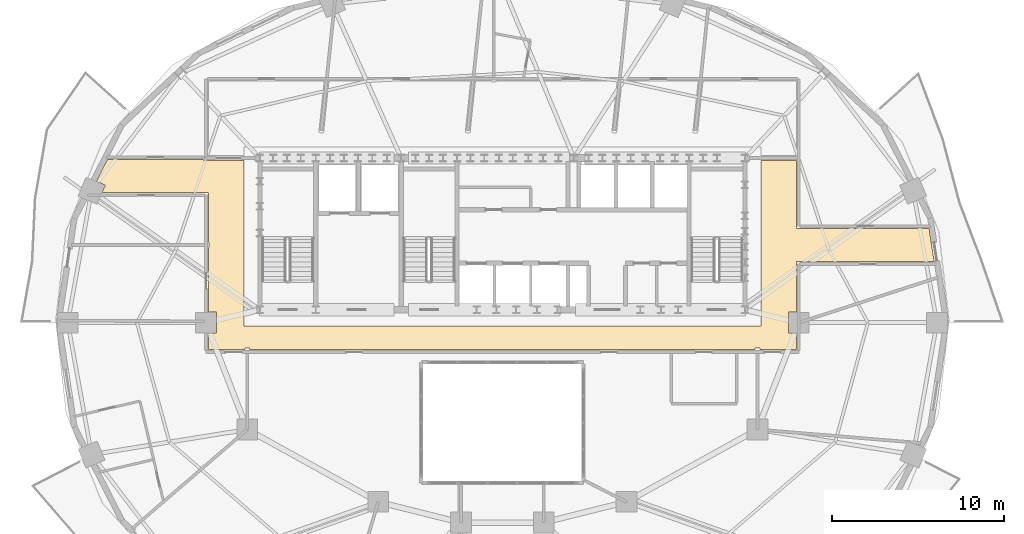
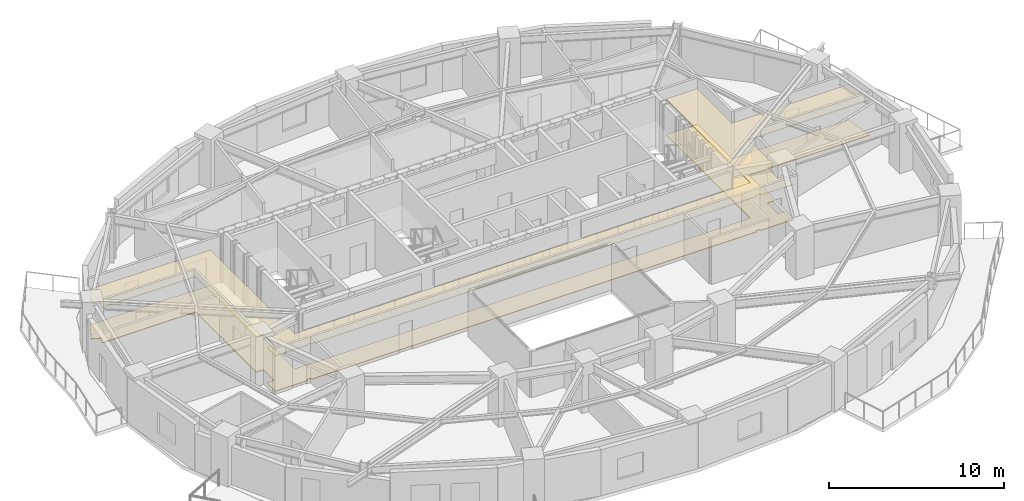
# One storey, part 11 of 13: 2 coverings.
"""IFC4 building model written with IfcOpenShell, lengths in metres."""

from ifc_helpers import new_model, si_unit, direction, frame, origin, place, context, subcontext, project, spatial, polyline, outline, extrude, material, layer, layer_set, type_object, element, save


model = new_model("IFC4")

# Units and contexts
model_context = context("Model", 3, precision=1e-05, world=origin(), true_north=direction((0.0, 1.0)))
body_context = subcontext(model_context, "Body", "Model", "MODEL_VIEW")
ifc_project = project(units=[si_unit("LENGTHUNIT", "METRE"), si_unit("AREAUNIT", "SQUARE_METRE"), si_unit("VOLUMEUNIT", "CUBIC_METRE"), si_unit("PLANEANGLEUNIT", "RADIAN"), si_unit("MASSUNIT", "GRAM", prefix="KILO")], contexts=[model_context])

# Site, building, storey
site_placement = place(None, origin())
site = spatial("IfcSite", under=ifc_project, at=site_placement, CompositionType="ELEMENT")
building_placement = place(site_placement, origin())
building = spatial("IfcBuilding", under=site, at=building_placement, Name="Haldorwick Loom Tower", CompositionType="ELEMENT")
storey_placement = place(building_placement, frame((0.0, 0.0, 175.14990234375)))
storey = spatial("IfcBuildingStorey", under=building, at=storey_placement, Name="L47", CompositionType="ELEMENT", Elevation=175.14990234375)

# Coverings
ifc_material_1 = material(Name="Mineral Fibre Acoustic Ceiling Tile")
ifc_layer_1 = layer(ifc_material_1, 0.054931640625, Name="Mineral Fibre Acoustic Ceiling Tile")
ifc_layer_set_1 = layer_set([ifc_layer_1], Name="Mineral Fibre Acoustic Ceiling Tile")
covering_type_1 = type_object("IfcCoveringType", Name="ARC-COV-CEIL2", PredefinedType="CEILING", material=ifc_layer_set_1)
covering_1_placement = place(storey_placement, frame((0.0, 0.0, 2.4580078125)))
element("IfcCovering", 1, at=covering_1_placement, inside=storey, type_object=covering_type_1, Name="L47 Acoustic Suspended Ceiling 1", PredefinedType="CEILING", context=body_context, shape_type="SweptSolid", body=[
    extrude(outline(polyline([(12.439208984375, 34.19775390625), (12.958251953125, 33.982666015625), (12.77490234375, 33.5400390625), (18.919921875, 33.5400390625), (18.922119140625, 33.539794921875), (18.923828125, 33.53955078125), (18.92578125, 33.5390625), (18.927734375, 33.53857421875), (18.929443359375, 33.53759765625), (18.93115234375, 33.53662109375), (18.9326171875, 33.535400390625), (18.93408203125, 33.5341796875), (18.935546875, 33.53271484375), (18.9365234375, 33.531005859375), (18.9375, 33.529296875), (18.9384765625, 33.527587890625), (18.939208984375, 33.52587890625), (18.939697265625, 33.52392578125), (18.93994140625, 33.52197265625), (18.93994140625, 33.52001953125), (18.93994140625, 30.639892578125), (18.969970703125, 30.639892578125), (18.971923828125, 30.639892578125), (18.973876953125, 30.6396484375), (18.975830078125, 30.63916015625), (18.977783203125, 30.638427734375), (18.9794921875, 30.6376953125), (18.981201171875, 30.63671875), (18.982666015625, 30.635498046875), (18.984130859375, 30.634033203125), (18.985595703125, 30.6328125), (18.986572265625, 30.631103515625), (18.987548828125, 30.62939453125), (18.988525390625, 30.627685546875), (18.989013671875, 30.625732421875), (18.989501953125, 30.623779296875), (18.989990234375, 30.6220703125), (18.989990234375, 30.6201171875), (18.989990234375, 30.3798828125), (18.989990234375, 30.3779296875), (18.989501953125, 30.376220703125), (18.989013671875, 30.374267578125), (18.988525390625, 30.372314453125), (18.987548828125, 30.37060546875), (18.986572265625, 30.368896484375), (18.985595703125, 30.3671875), (18.984130859375, 30.365966796875), (18.982666015625, 30.364501953125), (18.981201171875, 30.36328125), (18.9794921875, 30.3623046875), (18.977783203125, 30.361572265625), (18.975830078125, 30.36083984375), (18.973876953125, 30.3603515625), (18.971923828125, 30.360107421875), (18.969970703125, 30.360107421875), (18.93994140625, 30.360107421875), (18.93994140625, 26.60791015625), (19.407958984375, 26.60791015625), (19.407958984375, 25.39208984375), (18.93994140625, 25.39208984375), (18.93994140625, 24.43994140625), (21.06005859375, 24.43994140625), (21.06005859375, 24.52001953125), (21.06005859375, 24.52197265625), (21.060302734375, 24.52392578125), (21.060791015625, 24.52587890625), (21.0615234375, 24.527587890625), (21.0625, 24.529296875), (21.0634765625, 24.531005859375), (21.064453125, 24.53271484375), (21.06591796875, 24.5341796875), (21.0673828125, 24.535400390625), (21.06884765625, 24.53662109375), (21.070556640625, 24.53759765625), (21.072265625, 24.53857421875), (21.07421875, 24.5390625), (21.076171875, 24.53955078125), (21.077880859375, 24.539794921875), (21.080078125, 24.5400390625), (21.320068359375, 24.5400390625), (21.322021484375, 24.539794921875), (21.323974609375, 24.53955078125), (21.32568359375, 24.5390625), (21.32763671875, 24.53857421875), (21.329345703125, 24.53759765625), (21.3310546875, 24.53662109375), (21.332763671875, 24.535400390625), (21.333984375, 24.5341796875), (21.33544921875, 24.53271484375), (21.336669921875, 24.531005859375), (21.337646484375, 24.529296875), (21.33837890625, 24.527587890625), (21.339111328125, 24.52587890625), (21.339599609375, 24.52392578125), (21.33984375, 24.52197265625), (21.340087890625, 24.52001953125), (21.340087890625, 24.43994140625), (50.659912109375, 24.43994140625), (50.659912109375, 24.52001953125), (50.66015625, 24.52197265625), (50.660400390625, 24.52392578125), (50.660888671875, 24.52587890625), (50.66162109375, 24.527587890625), (50.662353515625, 24.529296875), (50.663330078125, 24.531005859375), (50.66455078125, 24.53271484375), (50.666015625, 24.5341796875), (50.667236328125, 24.535400390625), (50.6689453125, 24.53662109375), (50.670654296875, 24.53759765625), (50.67236328125, 24.53857421875), (50.67431640625, 24.5390625), (50.676025390625, 24.53955078125), (50.677978515625, 24.539794921875), (50.679931640625, 24.5400390625), (50.919921875, 24.5400390625), (50.922119140625, 24.539794921875), (50.923828125, 24.53955078125), (50.92578125, 24.5390625), (50.927734375, 24.53857421875), (50.929443359375, 24.53759765625), (50.93115234375, 24.53662109375), (50.9326171875, 24.535400390625), (50.93408203125, 24.5341796875), (50.935546875, 24.53271484375), (50.9365234375, 24.531005859375), (50.9375, 24.529296875), (50.9384765625, 24.527587890625), (50.939208984375, 24.52587890625), (50.939697265625, 24.52392578125), (50.93994140625, 24.52197265625), (50.93994140625, 24.52001953125), (50.93994140625, 24.43994140625), (53.06005859375, 24.43994140625), (53.06005859375, 25.39208984375), (52.592041015625, 25.39208984375), (52.592041015625, 26.60791015625), (53.06005859375, 26.60791015625), (53.06005859375, 29.52001953125), (53.06005859375, 29.52197265625), (53.060302734375, 29.52392578125), (53.060791015625, 29.52587890625), (53.0615234375, 29.527587890625), (53.0625, 29.529296875), (53.0634765625, 29.531005859375), (53.064453125, 29.53271484375), (53.06591796875, 29.5341796875), (53.0673828125, 29.535400390625), (53.06884765625, 29.53662109375), (53.070556640625, 29.53759765625), (53.072265625, 29.53857421875), (53.07421875, 29.5390625), (53.076171875, 29.53955078125), (53.077880859375, 29.539794921875), (53.080078125, 29.5400390625), (61.051025390625, 29.5400390625), (60.758544921875, 31.4599609375), (53.080078125, 31.4599609375), (53.077880859375, 31.460205078125), (53.076171875, 31.46044921875), (53.07421875, 31.4609375), (53.072265625, 31.46142578125), (53.070556640625, 31.46240234375), (53.06884765625, 31.46337890625), (53.0673828125, 31.464599609375), (53.06591796875, 31.4658203125), (53.064453125, 31.46728515625), (53.0634765625, 31.468994140625), (53.0625, 31.470703125), (53.0615234375, 31.472412109375), (53.060791015625, 31.47412109375), (53.060302734375, 31.47607421875), (53.06005859375, 31.47802734375), (53.06005859375, 31.47998046875), (53.06005859375, 35.409912109375), (51.0, 35.409912109375), (51.0, 25.800048828125), (21.0, 25.800048828125), (21.0, 35.409912109375), (18.679931640625, 35.409912109375), (18.677978515625, 35.41015625), (18.676025390625, 35.410400390625), (18.67431640625, 35.410888671875), (18.67236328125, 35.41162109375), (18.670654296875, 35.412353515625), (18.6689453125, 35.413330078125), (18.667236328125, 35.41455078125), (18.666015625, 35.416015625), (18.66455078125, 35.417236328125), (18.663330078125, 35.4189453125), (18.662353515625, 35.420654296875), (18.66162109375, 35.42236328125), (18.660888671875, 35.42431640625), (18.660400390625, 35.426025390625), (18.66015625, 35.427978515625), (18.659912109375, 35.429931640625), (18.659912109375, 35.4599609375), (13.0810546875, 35.4599609375), (12.439208984375, 34.19775390625)])), origin(), (0.0, 0.0, 1.0), 0.05517578125),
])
ifc_material_2 = material(Name="Polished Aggregate Terrazzo Finish")
ifc_layer_2 = layer(ifc_material_2, 0.044921875, Name="Polished Aggregate Terrazzo Finish")
ifc_layer_set_2 = layer_set([ifc_layer_2], Name="Polished Aggregate Terrazzo Finish")
covering_type_2 = type_object("IfcCoveringType", Name="ARC-COV-FLOOR2", PredefinedType="FLOORING", material=ifc_layer_set_2)
covering_2_placement = place(storey_placement, origin())
element("IfcCovering", 2, at=covering_2_placement, inside=storey, type_object=covering_type_2, Name="L47 Floor Finish 1", PredefinedType="FLOORING", context=body_context, shape_type="SweptSolid", body=[
    extrude(outline(polyline([(12.439208984375, 34.19775390625), (12.958251953125, 33.982666015625), (12.77490234375, 33.5400390625), (18.919921875, 33.5400390625), (18.922119140625, 33.539794921875), (18.923828125, 33.53955078125), (18.92578125, 33.5390625), (18.927734375, 33.53857421875), (18.929443359375, 33.53759765625), (18.93115234375, 33.53662109375), (18.9326171875, 33.535400390625), (18.93408203125, 33.5341796875), (18.935546875, 33.53271484375), (18.9365234375, 33.531005859375), (18.9375, 33.529296875), (18.9384765625, 33.527587890625), (18.939208984375, 33.52587890625), (18.939697265625, 33.52392578125), (18.93994140625, 33.52197265625), (18.93994140625, 33.52001953125), (18.93994140625, 30.639892578125), (18.969970703125, 30.639892578125), (18.971923828125, 30.639892578125), (18.973876953125, 30.6396484375), (18.975830078125, 30.63916015625), (18.977783203125, 30.638427734375), (18.9794921875, 30.6376953125), (18.981201171875, 30.63671875), (18.982666015625, 30.635498046875), (18.984130859375, 30.634033203125), (18.985595703125, 30.6328125), (18.986572265625, 30.631103515625), (18.987548828125, 30.62939453125), (18.988525390625, 30.627685546875), (18.989013671875, 30.625732421875), (18.989501953125, 30.623779296875), (18.989990234375, 30.6220703125), (18.989990234375, 30.6201171875), (18.989990234375, 30.3798828125), (18.989990234375, 30.3779296875), (18.989501953125, 30.376220703125), (18.989013671875, 30.374267578125), (18.988525390625, 30.372314453125), (18.987548828125, 30.37060546875), (18.986572265625, 30.368896484375), (18.985595703125, 30.3671875), (18.984130859375, 30.365966796875), (18.982666015625, 30.364501953125), (18.981201171875, 30.36328125), (18.9794921875, 30.3623046875), (18.977783203125, 30.361572265625), (18.975830078125, 30.36083984375), (18.973876953125, 30.3603515625), (18.971923828125, 30.360107421875), (18.969970703125, 30.360107421875), (18.93994140625, 30.360107421875), (18.93994140625, 26.60791015625), (19.407958984375, 26.60791015625), (19.407958984375, 25.39208984375), (18.93994140625, 25.39208984375), (18.93994140625, 24.43994140625), (21.06005859375, 24.43994140625), (21.06005859375, 24.52001953125), (21.06005859375, 24.52197265625), (21.060302734375, 24.52392578125), (21.060791015625, 24.52587890625), (21.0615234375, 24.527587890625), (21.0625, 24.529296875), (21.0634765625, 24.531005859375), (21.064453125, 24.53271484375), (21.06591796875, 24.5341796875), (21.0673828125, 24.535400390625), (21.06884765625, 24.53662109375), (21.070556640625, 24.53759765625), (21.072265625, 24.53857421875), (21.07421875, 24.5390625), (21.076171875, 24.53955078125), (21.077880859375, 24.539794921875), (21.080078125, 24.5400390625), (21.320068359375, 24.5400390625), (21.322021484375, 24.539794921875), (21.323974609375, 24.53955078125), (21.32568359375, 24.5390625), (21.32763671875, 24.53857421875), (21.329345703125, 24.53759765625), (21.3310546875, 24.53662109375), (21.332763671875, 24.535400390625), (21.333984375, 24.5341796875), (21.33544921875, 24.53271484375), (21.336669921875, 24.531005859375), (21.337646484375, 24.529296875), (21.33837890625, 24.527587890625), (21.339111328125, 24.52587890625), (21.339599609375, 24.52392578125), (21.33984375, 24.52197265625), (21.340087890625, 24.52001953125), (21.340087890625, 24.43994140625), (50.659912109375, 24.43994140625), (50.659912109375, 24.52001953125), (50.66015625, 24.52197265625), (50.660400390625, 24.52392578125), (50.660888671875, 24.52587890625), (50.66162109375, 24.527587890625), (50.662353515625, 24.529296875), (50.663330078125, 24.531005859375), (50.66455078125, 24.53271484375), (50.666015625, 24.5341796875), (50.667236328125, 24.535400390625), (50.6689453125, 24.53662109375), (50.670654296875, 24.53759765625), (50.67236328125, 24.53857421875), (50.67431640625, 24.5390625), (50.676025390625, 24.53955078125), (50.677978515625, 24.539794921875), (50.679931640625, 24.5400390625), (50.919921875, 24.5400390625), (50.922119140625, 24.539794921875), (50.923828125, 24.53955078125), (50.92578125, 24.5390625), (50.927734375, 24.53857421875), (50.929443359375, 24.53759765625), (50.93115234375, 24.53662109375), (50.9326171875, 24.535400390625), (50.93408203125, 24.5341796875), (50.935546875, 24.53271484375), (50.9365234375, 24.531005859375), (50.9375, 24.529296875), (50.9384765625, 24.527587890625), (50.939208984375, 24.52587890625), (50.939697265625, 24.52392578125), (50.93994140625, 24.52197265625), (50.93994140625, 24.52001953125), (50.93994140625, 24.43994140625), (53.06005859375, 24.43994140625), (53.06005859375, 25.39208984375), (52.592041015625, 25.39208984375), (52.592041015625, 26.60791015625), (53.06005859375, 26.60791015625), (53.06005859375, 29.52001953125), (53.06005859375, 29.52197265625), (53.060302734375, 29.52392578125), (53.060791015625, 29.52587890625), (53.0615234375, 29.527587890625), (53.0625, 29.529296875), (53.0634765625, 29.531005859375), (53.064453125, 29.53271484375), (53.06591796875, 29.5341796875), (53.0673828125, 29.535400390625), (53.06884765625, 29.53662109375), (53.070556640625, 29.53759765625), (53.072265625, 29.53857421875), (53.07421875, 29.5390625), (53.076171875, 29.53955078125), (53.077880859375, 29.539794921875), (53.080078125, 29.5400390625), (61.051025390625, 29.5400390625), (60.758544921875, 31.4599609375), (53.080078125, 31.4599609375), (53.077880859375, 31.460205078125), (53.076171875, 31.46044921875), (53.07421875, 31.4609375), (53.072265625, 31.46142578125), (53.070556640625, 31.46240234375), (53.06884765625, 31.46337890625), (53.0673828125, 31.464599609375), (53.06591796875, 31.4658203125), (53.064453125, 31.46728515625), (53.0634765625, 31.468994140625), (53.0625, 31.470703125), (53.0615234375, 31.472412109375), (53.060791015625, 31.47412109375), (53.060302734375, 31.47607421875), (53.06005859375, 31.47802734375), (53.06005859375, 31.47998046875), (53.06005859375, 35.409912109375), (51.0, 35.409912109375), (51.0, 25.800048828125), (21.0, 25.800048828125), (21.0, 35.409912109375), (18.679931640625, 35.409912109375), (18.677978515625, 35.41015625), (18.676025390625, 35.410400390625), (18.67431640625, 35.410888671875), (18.67236328125, 35.41162109375), (18.670654296875, 35.412353515625), (18.6689453125, 35.413330078125), (18.667236328125, 35.41455078125), (18.666015625, 35.416015625), (18.66455078125, 35.417236328125), (18.663330078125, 35.4189453125), (18.662353515625, 35.420654296875), (18.66162109375, 35.42236328125), (18.660888671875, 35.42431640625), (18.660400390625, 35.426025390625), (18.66015625, 35.427978515625), (18.659912109375, 35.429931640625), (18.659912109375, 35.4599609375), (13.0810546875, 35.4599609375), (12.439208984375, 34.19775390625)])), origin(), (0.0, 0.0, 1.0), 0.045166015625),
])

save(model, "model.ifc")
